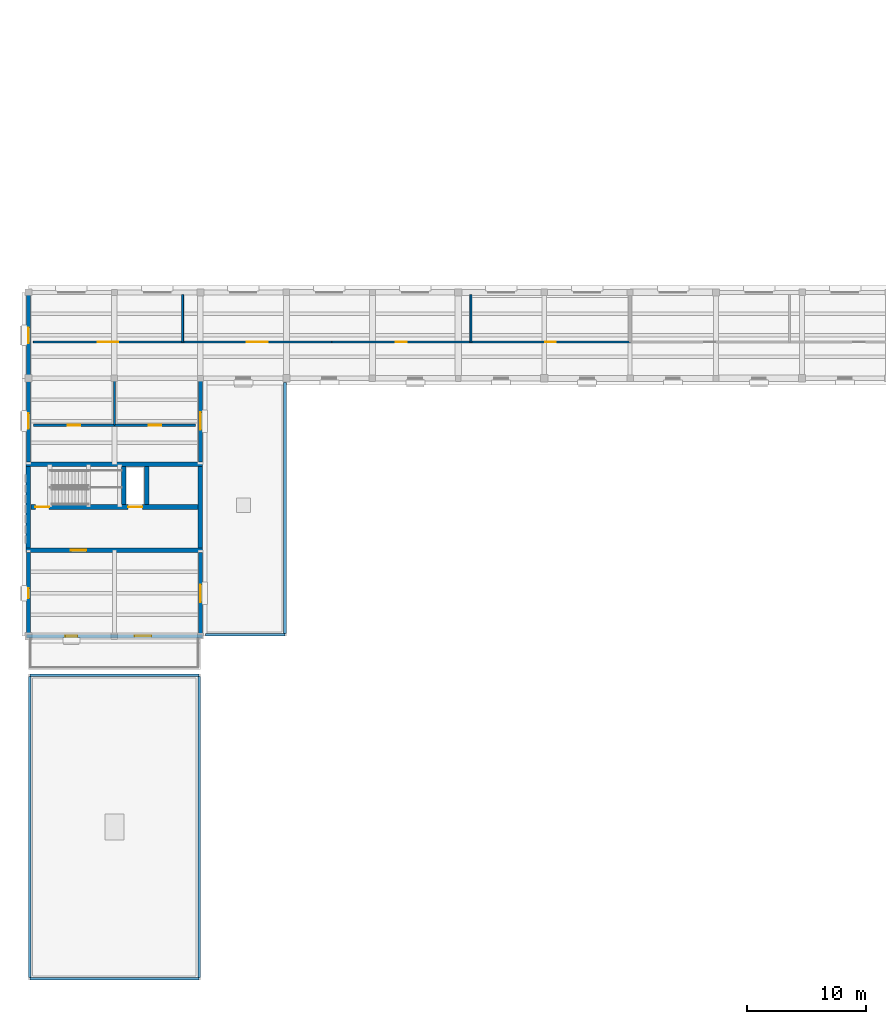
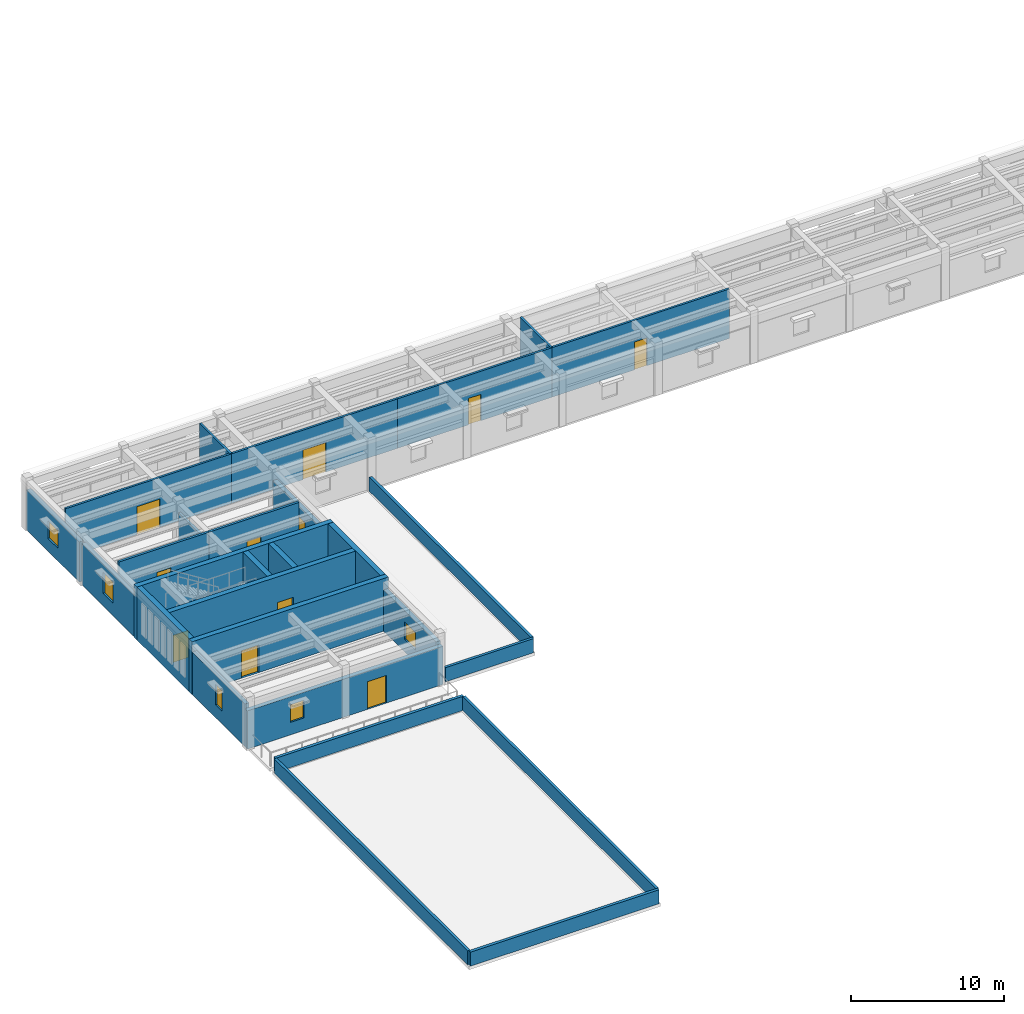
# One storey, part 11 of 27: 28 walls, 10 doors, 6 windows, 16 openings.
"""IFC4 building model written with IfcOpenShell, lengths in metres."""

from ifc_helpers import new_model, si_unit, direction, frame, frame_2d, origin, place, context, subcontext, project, spatial, rectangle, extrude, material, layer, layer_set, type_object, element, fill, save


model = new_model("IFC4")

# Units and contexts
model_context = context("Model", 3, precision=1e-05, world=origin(), true_north=direction((0.0, 1.0)))
body_context = subcontext(model_context, "Body", "Model", "MODEL_VIEW")
ifc_project = project(units=[si_unit("LENGTHUNIT", "METRE"), si_unit("AREAUNIT", "SQUARE_METRE"), si_unit("VOLUMEUNIT", "CUBIC_METRE"), si_unit("PLANEANGLEUNIT", "RADIAN"), si_unit("MASSUNIT", "GRAM", prefix="KILO")], contexts=[model_context])

# Site, building, storey
site_placement = place(None, origin())
site = spatial("IfcSite", under=ifc_project, at=site_placement, CompositionType="ELEMENT")
building_placement = place(site_placement, origin())
building = spatial("IfcBuilding", under=site, at=building_placement, Name="Mithqara Police Headquarters", CompositionType="ELEMENT")
storey_placement = place(building_placement, frame((0.0, 0.0, 18.0)))
storey = spatial("IfcBuildingStorey", under=building, at=storey_placement, Name="L04", CompositionType="ELEMENT", Elevation=18.0)

# Wall, opening, window
ifc_material_1 = material(Name="Limestone ashlar masonry, 45 MPa", Category="masonry")
ifc_layer_1 = layer(ifc_material_1, 0.320068359375, Name="Limestone ashlar masonry, 45 MPa")
ifc_layer_set_1 = layer_set([ifc_layer_1], Name="Limestone ashlar masonry, 45 MPa")
wall_type_1 = type_object("IfcWallType", Name="EXT WALL LIMESTONE320", PredefinedType="SOLIDWALL", material=ifc_layer_set_1)
wall_1_placement = place(storey_placement, frame((7.800048828125, 85.639892578125, 0.0), z_axis=(0.0, 0.0, 1.0), x_axis=(0.0, -1.0, 0.0)))
wall_1 = element("IfcWall", 1, at=wall_1_placement, inside=storey, type_object=wall_type_1, Name="L04 Exterior Wall 9.1", PredefinedType="SOLIDWALL", context=body_context, shape_type="SweptSolid", body=[
    extrude(rectangle(XDim=6.8798828125, YDim=0.320068359375, at=frame_2d((3.43994140625, 0.0))), origin(), (0.0, 0.0, 1.0), 3.18994140625),
])
opening_1_placement = place(wall_1_placement, frame((2.7900390625, 0.0, 1.0)))
opening_1 = element("IfcOpeningElement", 2, at=opening_1_placement, cuts=wall_1, Name="Opening W-16", PredefinedType="OPENING", context=body_context, shape_type="SweptSolid", body=[
    extrude(rectangle(XDim=1.300048828125, YDim=1.39990234375, at=frame_2d((0.64990234375, 0.699951171875))), frame((0.0, 0.169921875, 0.0), z_axis=(0.0, -1.0, 0.0), x_axis=(1.0, 0.0, 0.0)), (0.0, 0.0, 1.0), 0.340087890625),
])
ifc_material_2 = material(Name="Spectrally selective double low-e glass", Category="glass")
window_type_1 = type_object("IfcWindowType", Name="WINDOW 1300X1400", PartitioningType="SINGLE_PANEL", PredefinedType="WINDOW", material=ifc_material_2)
window_1_placement = place(opening_1_placement, origin())
window_1 = element("IfcWindow", 3, at=window_1_placement, inside=storey, type_object=window_type_1, Name="L04 Deep-Set Punched Window 9.1", OverallHeight=1.39990234375, OverallWidth=1.300048828125, PartitioningType="SINGLE_PANEL", PredefinedType="WINDOW", context=body_context, shape_type="SweptSolid", body=[
    extrude(rectangle(XDim=1.300048828125, YDim=1.39990234375, at=frame_2d((0.64990234375, 0.699951171875))), frame((0.0, 0.030029296875, 0.0), z_axis=(0.0, -1.0, 0.0), x_axis=(1.0, 0.0, 0.0)), (0.0, 0.0, 1.0), 0.06005859375),
])
fill(opening_1, window_1)

wall_2_placement = place(storey_placement, frame((7.800048828125, 78.43994140625, 0.0), z_axis=(0.0, 0.0, 1.0), x_axis=(0.0, -1.0, 0.0)))
wall_2 = element("IfcWall", 4, at=wall_2_placement, inside=storey, type_object=wall_type_1, Name="L04 Exterior Wall 10.1", PredefinedType="SOLIDWALL", context=body_context, shape_type="SweptSolid", body=[
    extrude(rectangle(XDim=6.849853515625, YDim=0.320068359375, at=frame_2d((3.4248046875, 0.0))), origin(), (0.0, 0.0, 1.0), 3.2900390625),
])
opening_2_placement = place(wall_2_placement, frame((2.77490234375, 0.0, 1.0)))
opening_2 = element("IfcOpeningElement", 5, at=opening_2_placement, cuts=wall_2, Name="Opening W-17", PredefinedType="OPENING", context=body_context, shape_type="SweptSolid", body=[
    extrude(rectangle(XDim=1.300048828125, YDim=1.64990234375, at=frame_2d((0.64990234375, 0.824951171875))), frame((0.0, 0.169921875, 0.0), z_axis=(0.0, -1.0, 0.0), x_axis=(1.0, 0.0, 0.0)), (0.0, 0.0, 1.0), 0.340087890625),
])
window_type_2 = type_object("IfcWindowType", Name="WINDOW 1300X1650", PartitioningType="SINGLE_PANEL", PredefinedType="WINDOW", material=ifc_material_2)
window_2_placement = place(opening_2_placement, origin())
window_2 = element("IfcWindow", 6, at=window_2_placement, inside=storey, type_object=window_type_2, Name="L04 Deep-Set Punched Window 10.1", OverallHeight=1.64990234375, OverallWidth=1.300048828125, PartitioningType="SINGLE_PANEL", PredefinedType="WINDOW", context=body_context, shape_type="SweptSolid", body=[
    extrude(rectangle(XDim=1.300048828125, YDim=1.64990234375, at=frame_2d((0.64990234375, 0.824951171875))), frame((0.0, 0.030029296875, 0.0), z_axis=(0.0, -1.0, 0.0), x_axis=(1.0, 0.0, 0.0)), (0.0, 0.0, 1.0), 0.06005859375),
])
fill(opening_2, window_2)

wall_3_placement = place(storey_placement, frame((7.800048828125, 64.010009765625, 0.0), z_axis=(0.0, 0.0, 1.0), x_axis=(0.0, -1.0, 0.0)))
wall_3 = element("IfcWall", 7, at=wall_3_placement, inside=storey, type_object=wall_type_1, Name="L04 Exterior Wall 10.2", PredefinedType="SOLIDWALL", context=body_context, shape_type="SweptSolid", body=[
    extrude(rectangle(XDim=6.85009765625, YDim=0.320068359375, at=frame_2d((3.425048828125, 0.0))), origin(), (0.0, 0.0, 1.0), 3.389892578125),
])
opening_3_placement = place(wall_3_placement, frame((3.0, 0.0, 1.0)))
opening_3 = element("IfcOpeningElement", 8, at=opening_3_placement, cuts=wall_3, Name="Opening W-02", PredefinedType="OPENING", context=body_context, shape_type="SweptSolid", body=[
    extrude(rectangle(XDim=0.85009765625, YDim=1.64990234375, at=frame_2d((0.425048828125, 0.824951171875))), frame((0.0, 0.169921875, 0.0), z_axis=(0.0, -1.0, 0.0), x_axis=(1.0, 0.0, 0.0)), (0.0, 0.0, 1.0), 0.340087890625),
])
window_type_3 = type_object("IfcWindowType", Name="WINDOW 850X1650", PartitioningType="SINGLE_PANEL", PredefinedType="WINDOW", material=ifc_material_2)
window_3_placement = place(opening_3_placement, origin())
window_3 = element("IfcWindow", 9, at=window_3_placement, inside=storey, type_object=window_type_3, Name="L04 Deep-Set Punched Window 10.1", OverallHeight=1.64990234375, OverallWidth=0.85009765625, PartitioningType="SINGLE_PANEL", PredefinedType="WINDOW", context=body_context, shape_type="SweptSolid", body=[
    extrude(rectangle(XDim=0.85009765625, YDim=1.64990234375, at=frame_2d((0.425048828125, 0.824951171875))), frame((0.0, 0.030029296875, 0.0), z_axis=(0.0, -1.0, 0.0), x_axis=(1.0, 0.0, 0.0)), (0.0, 0.0, 1.0), 0.06005859375),
])
fill(opening_3, window_3)

# Wall, openings, door, window
wall_4_placement = place(storey_placement, frame((7.639892578125, 57.0, 0.0), z_axis=(0.0, 0.0, 1.0), x_axis=(1.0, 0.0, 0.0)))
wall_4 = element("IfcWall", 10, at=wall_4_placement, inside=storey, type_object=wall_type_1, Name="L04 Exterior Wall 11.1", PredefinedType="SOLIDWALL", context=body_context, shape_type="SweptSolid", body=[
    extrude(rectangle(XDim=14.72021484375, YDim=0.320068359375, at=frame_2d((7.360107421875, 0.0))), origin(), (0.0, 0.0, 1.0), 3.0400390625),
])
opening_4_placement = place(wall_4_placement, frame((9.06005859375, 0.0, 0.0)))
opening_4 = element("IfcOpeningElement", 11, at=opening_4_placement, cuts=wall_4, Name="Opening TD-02", PredefinedType="OPENING", context=body_context, shape_type="SweptSolid", body=[
    extrude(rectangle(XDim=1.39990234375, YDim=2.199951171875, at=frame_2d((0.699951171875, 1.10009765625))), frame((0.0, 0.169921875, 0.0), z_axis=(0.0, -1.0, 0.0), x_axis=(1.0, 0.0, 0.0)), (0.0, 0.0, 1.0), 0.340087890625),
])
opening_5_placement = place(wall_4_placement, frame((3.260009765625, 0.0, 1.0)))
opening_5 = element("IfcOpeningElement", 12, at=opening_5_placement, cuts=wall_4, Name="Opening W-06", PredefinedType="OPENING", context=body_context, shape_type="SweptSolid", body=[
    extrude(rectangle(XDim=1.0, YDim=1.39990234375, at=frame_2d((0.5, 0.699951171875))), frame((0.0, 0.169921875, 0.0), z_axis=(0.0, -1.0, 0.0), x_axis=(1.0, 0.0, 0.0)), (0.0, 0.0, 1.0), 0.340087890625),
])
ifc_material_3 = material(Name="Bronze anodised aluminium 6063-T6", Category="aluminium")
door_type_1 = type_object("IfcDoorType", Name="EXT DOOR TERRACE 1400X2200", OperationType="DOUBLE_DOOR_SINGLE_SWING", PredefinedType="DOOR", material=ifc_material_3)
door_1_placement = place(opening_4_placement, frame((1.39990234375, 0.0, 0.0), z_axis=(0.0, 0.0, 1.0), x_axis=(-1.0, 0.0, 0.0)))
door_1 = element("IfcDoor", 13, at=door_1_placement, inside=storey, type_object=door_type_1, Name="L04 Terrace Access Door TER-L04-S", OperationType="DOUBLE_DOOR_SINGLE_SWING", OverallHeight=2.199951171875, OverallWidth=1.39990234375, PredefinedType="DOOR", context=body_context, shape_type="SweptSolid", body=[
    extrude(rectangle(XDim=1.39990234375, YDim=2.199951171875, at=frame_2d((0.699951171875, 1.10009765625))), frame((0.0, 0.02490234375, 0.0), z_axis=(0.0, -1.0, 0.0), x_axis=(1.0, 0.0, 0.0)), (0.0, 0.0, 1.0), 0.050048828125),
])
fill(opening_4, door_1)
window_type_4 = type_object("IfcWindowType", Name="WINDOW 1000X1400", PartitioningType="SINGLE_PANEL", PredefinedType="WINDOW", material=ifc_material_2)
window_4_placement = place(opening_5_placement, origin())
window_4 = element("IfcWindow", 14, at=window_4_placement, inside=storey, type_object=window_type_4, Name="L04 Deep-Set Punched Window 11.1", OverallHeight=1.39990234375, OverallWidth=1.0, PartitioningType="SINGLE_PANEL", PredefinedType="WINDOW", context=body_context, shape_type="SweptSolid", body=[
    extrude(rectangle(XDim=1.0, YDim=1.39990234375, at=frame_2d((0.5, 0.699951171875))), frame((0.0, 0.030029296875, 0.0), z_axis=(0.0, -1.0, 0.0), x_axis=(1.0, 0.0, 0.0)), (0.0, 0.0, 1.0), 0.06005859375),
])
fill(opening_5, window_4)

# Wall, opening, window
wall_5_placement = place(storey_placement, frame((22.199951171875, 57.159912109375, 0.0), z_axis=(0.0, 0.0, 1.0), x_axis=(0.0, 1.0, 0.0)))
wall_5 = element("IfcWall", 15, at=wall_5_placement, inside=storey, type_object=wall_type_1, Name="L04 Exterior Wall 12.1", PredefinedType="SOLIDWALL", context=body_context, shape_type="SweptSolid", body=[
    extrude(rectangle(XDim=6.85009765625, YDim=0.320068359375, at=frame_2d((3.425048828125, 0.0))), origin(), (0.0, 0.0, 1.0), 3.2900390625),
])
opening_6_placement = place(wall_5_placement, frame((2.699951171875, 0.0, 1.0)))
opening_6 = element("IfcOpeningElement", 16, at=opening_6_placement, cuts=wall_5, Name="Opening W-21", PredefinedType="OPENING", context=body_context, shape_type="SweptSolid", body=[
    extrude(rectangle(XDim=1.449951171875, YDim=1.39990234375, at=frame_2d((0.72509765625, 0.699951171875))), frame((0.0, 0.169921875, 0.0), z_axis=(0.0, -1.0, 0.0), x_axis=(1.0, 0.0, 0.0)), (0.0, 0.0, 1.0), 0.340087890625),
])
window_type_5 = type_object("IfcWindowType", Name="WINDOW 1450X1400", PartitioningType="SINGLE_PANEL", PredefinedType="WINDOW", material=ifc_material_2)
window_5_placement = place(opening_6_placement, origin())
window_5 = element("IfcWindow", 17, at=window_5_placement, inside=storey, type_object=window_type_5, Name="L04 Deep-Set Punched Window 12.1", OverallHeight=1.39990234375, OverallWidth=1.449951171875, PartitioningType="SINGLE_PANEL", PredefinedType="WINDOW", context=body_context, shape_type="SweptSolid", body=[
    extrude(rectangle(XDim=1.449951171875, YDim=1.39990234375, at=frame_2d((0.72509765625, 0.699951171875))), frame((0.0, 0.030029296875, 0.0), z_axis=(0.0, -1.0, 0.0), x_axis=(1.0, 0.0, 0.0)), (0.0, 0.0, 1.0), 0.06005859375),
])
fill(opening_6, window_5)

wall_6_placement = place(storey_placement, frame((22.199951171875, 71.590087890625, 0.0), z_axis=(0.0, 0.0, 1.0), x_axis=(0.0, 1.0, 0.0)))
wall_6 = element("IfcWall", 18, at=wall_6_placement, inside=storey, type_object=wall_type_1, Name="L04 Exterior Wall 12.2", PredefinedType="SOLIDWALL", context=body_context, shape_type="SweptSolid", body=[
    extrude(rectangle(XDim=6.849853515625, YDim=0.320068359375, at=frame_2d((3.4248046875, 0.0))), origin(), (0.0, 0.0, 1.0), 3.239990234375),
])
opening_7_placement = place(wall_6_placement, frame((2.699951171875, 0.0, 1.0)))
opening_7 = element("IfcOpeningElement", 19, at=opening_7_placement, cuts=wall_6, Name="Opening W-21", PredefinedType="OPENING", context=body_context, shape_type="SweptSolid", body=[
    extrude(rectangle(XDim=1.449951171875, YDim=1.39990234375, at=frame_2d((0.72509765625, 0.699951171875))), frame((0.0, 0.169921875, 0.0), z_axis=(0.0, -1.0, 0.0), x_axis=(1.0, 0.0, 0.0)), (0.0, 0.0, 1.0), 0.340087890625),
])
window_6_placement = place(opening_7_placement, origin())
window_6 = element("IfcWindow", 20, at=window_6_placement, inside=storey, type_object=window_type_5, Name="L04 Deep-Set Punched Window 12.1", OverallHeight=1.39990234375, OverallWidth=1.449951171875, PartitioningType="SINGLE_PANEL", PredefinedType="WINDOW", context=body_context, shape_type="SweptSolid", body=[
    extrude(rectangle(XDim=1.449951171875, YDim=1.39990234375, at=frame_2d((0.72509765625, 0.699951171875))), frame((0.0, 0.030029296875, 0.0), z_axis=(0.0, -1.0, 0.0), x_axis=(1.0, 0.0, 0.0)), (0.0, 0.0, 1.0), 0.06005859375),
])
fill(opening_7, window_6)

# Walls
ifc_layer_2 = layer(ifc_material_1, 0.199951171875, Name="Limestone ashlar masonry, 45 MPa")
ifc_layer_set_2 = layer_set([ifc_layer_2], Name="Limestone ashlar masonry, 45 MPa")
wall_type_2 = type_object("IfcWallType", Name="PARAPET WALL 200", PredefinedType="PARAPET", material=ifc_layer_set_2)
for number, where, z_axis, x_axis, name in (
    (21, (22.090087890625, 53.6298828125, 0.0), (0.0, 0.0, 1.0), (0.0, -1.0, 0.0), "L04 Limestone Roof Parapet ROOF-L03-00-2"),
    (22, (7.909912109375, 28.419921875, 0.0), (0.0, 0.0, 1.0), (0.0, 1.0, 0.0), "L04 Limestone Roof Parapet ROOF-L03-00-4"),
):
    element("IfcWall", number, at=place(storey_placement, frame(where, z_axis=z_axis, x_axis=x_axis)), inside=storey, type_object=wall_type_2, Name=name, PredefinedType="PARAPET", context=body_context, shape_type="SweptSolid", body=[
        extrude(rectangle(XDim=25.2099609375, YDim=0.199951171875, at=frame_2d((12.60498046875, 0.0))), origin(), (0.0, 0.0, 1.0), 1.1201171875),
    ])
wall_7_placement = place(storey_placement, frame((29.2900390625, 57.110107421875, 0.0), z_axis=(0.0, 0.0, 1.0), x_axis=(-1.0, 0.0, 0.0)))
element("IfcWall", 23, at=wall_7_placement, inside=storey, type_object=wall_type_2, Name="L04 Limestone Roof Parapet ROOF-L03-02-4", PredefinedType="PARAPET", context=body_context, shape_type="SweptSolid", body=[
    extrude(rectangle(XDim=6.643798828125, YDim=0.199951171875, at=frame_2d((3.32177734375, 0.0))), origin(), (0.0, 0.0, 1.0), 1.1201171875),
])
ifc_layer_3 = layer(ifc_material_1, 0.219970703125, Name="Limestone ashlar masonry, 45 MPa")
ifc_layer_set_3 = layer_set([ifc_layer_3], Name="Limestone ashlar masonry, 45 MPa")
wall_type_3 = type_object("IfcWallType", Name="PARAPET WALL 220", PredefinedType="PARAPET", material=ifc_layer_set_3)
for number, where, z_axis, x_axis, name in (
    (24, (7.909912109375, 53.739990234375, 0.0), (0.0, 0.0, 1.0), (1.0, 0.0, 0.0), "L04 Limestone Roof Parapet ROOF-L03-00-1"),
    (25, (22.090087890625, 28.31005859375, 0.0), (0.0, 0.0, 1.0), (-1.0, 0.0, 0.0), "L04 Limestone Roof Parapet ROOF-L03-00-3"),
):
    element("IfcWall", number, at=place(storey_placement, frame(where, z_axis=z_axis, x_axis=x_axis)), inside=storey, type_object=wall_type_3, Name=name, PredefinedType="PARAPET", context=body_context, shape_type="SweptSolid", body=[
        extrude(rectangle(XDim=14.18017578125, YDim=0.219970703125, at=frame_2d((7.090087890625, 0.0))), origin(), (0.0, 0.0, 1.0), 1.1201171875),
    ])
wall_8_placement = place(storey_placement, frame((29.2900390625, 78.260009765625, 0.0), z_axis=(0.0, 0.0, 1.0), x_axis=(0.0, -1.0, 0.0)))
element("IfcWall", 26, at=wall_8_placement, inside=storey, type_object=wall_type_3, Name="L04 Limestone Roof Parapet ROOF-L03-02-3", PredefinedType="PARAPET", context=body_context, shape_type="SweptSolid", body=[
    extrude(rectangle(XDim=21.030029296875, YDim=0.219970703125, at=frame_2d((10.51513671875, 0.0))), origin(), (0.0, 0.0, 1.0), 1.1201171875),
])

# Wall, opening, door
ifc_material_4 = material(Name="Gypsum acoustic stud partition", Category="gypsum")
ifc_layer_4 = layer(ifc_material_4, 0.159912109375, Name="Gypsum acoustic stud partition")
ifc_layer_set_4 = layer_set([ifc_layer_4], Name="Gypsum acoustic stud partition")
wall_type_4 = type_object("IfcWallType", Name="PART WALL 160", PredefinedType="PARTITIONING", material=ifc_layer_set_4)
wall_9_placement = place(storey_placement, frame((8.219970703125, 81.639892578125, 0.0), z_axis=(0.0, 0.0, 1.0), x_axis=(1.0, 0.0, 0.0)))
wall_9 = element("IfcWall", 27, at=wall_9_placement, inside=storey, type_object=wall_type_4, Name="L04 Corridor Wall Evidence Review Room", PredefinedType="PARTITIONING", context=body_context, shape_type="SweptSolid", body=[
    extrude(rectangle(XDim=12.4951171875, YDim=0.159912109375, at=frame_2d((6.24755859375, 0.0))), origin(), (0.0, 0.0, 1.0), 3.93994140625),
])
opening_8_placement = place(wall_9_placement, frame((5.387451171875, 0.0, 0.0)))
opening_8 = element("IfcOpeningElement", 28, at=opening_8_placement, cuts=wall_9, Name="Opening D-23", PredefinedType="OPENING", context=body_context, shape_type="SweptSolid", body=[
    extrude(rectangle(XDim=1.719970703125, YDim=2.219970703125, at=frame_2d((0.85986328125, 1.10986328125))), frame((0.0, 0.08984375, 0.0), z_axis=(0.0, -1.0, 0.0), x_axis=(1.0, 0.0, 0.0)), (0.0, 0.0, 1.0), 0.179931640625),
])
door_type_2 = type_object("IfcDoorType", Name="INT DOOR 1720X2220", OperationType="NOTDEFINED", PredefinedType="DOOR", material=ifc_material_3)
door_2_placement = place(opening_8_placement, origin())
door_2 = element("IfcDoor", 29, at=door_2_placement, inside=storey, type_object=door_type_2, Name="Evidence Review Room Entry Door", OperationType="DOUBLE_DOOR_SINGLE_SWING", OverallHeight=2.219970703125, OverallWidth=1.719970703125, PredefinedType="DOOR", context=body_context, shape_type="SweptSolid", body=[
    extrude(rectangle(XDim=1.719970703125, YDim=2.219970703125, at=frame_2d((0.85986328125, 1.10986328125))), frame((0.0, 0.02490234375, 0.0), z_axis=(0.0, -1.0, 0.0), x_axis=(1.0, 0.0, 0.0)), (0.0, 0.0, 1.0), 0.050048828125),
])
fill(opening_8, door_2)

# Wall
wall_10_placement = place(storey_placement, frame((20.715087890625, 81.639892578125, 0.0), z_axis=(0.0, 0.0, 1.0), x_axis=(0.0, 1.0, 0.0)))
element("IfcWall", 30, at=wall_10_placement, inside=storey, type_object=wall_type_4, Name="L04 Room Partition Evidence Review Room", PredefinedType="PARTITIONING", context=body_context, shape_type="SweptSolid", body=[
    extrude(rectangle(XDim=3.980224609375, YDim=0.159912109375, at=frame_2d((1.990234375, 0.0))), origin(), (0.0, 0.0, 1.0), 3.93994140625),
])

# Wall, opening, door
wall_11_placement = place(storey_placement, frame((20.715087890625, 81.639892578125, 0.0), z_axis=(0.0, 0.0, 1.0), x_axis=(1.0, 0.0, 0.0)))
wall_11 = element("IfcWall", 31, at=wall_11_placement, inside=storey, type_object=wall_type_4, Name="L04 Corridor Wall Witness Interview Suite", PredefinedType="PARTITIONING", context=body_context, shape_type="SweptSolid", body=[
    extrude(rectangle(XDim=12.494873046875, YDim=0.159912109375, at=frame_2d((6.24755859375, 0.0))), origin(), (0.0, 0.0, 1.0), 3.93994140625),
])
opening_9_placement = place(wall_11_placement, frame((5.387451171875, 0.0, 0.0)))
opening_9 = element("IfcOpeningElement", 32, at=opening_9_placement, cuts=wall_11, Name="Opening D-24", PredefinedType="OPENING", context=body_context, shape_type="SweptSolid", body=[
    extrude(rectangle(XDim=1.719970703125, YDim=2.35009765625, at=frame_2d((0.85986328125, 1.175048828125))), frame((0.0, 0.08984375, 0.0), z_axis=(0.0, -1.0, 0.0), x_axis=(1.0, 0.0, 0.0)), (0.0, 0.0, 1.0), 0.179931640625),
])
door_type_3 = type_object("IfcDoorType", Name="INT DOOR 1720X2350", OperationType="NOTDEFINED", PredefinedType="DOOR", material=ifc_material_3)
door_3_placement = place(opening_9_placement, origin())
door_3 = element("IfcDoor", 33, at=door_3_placement, inside=storey, type_object=door_type_3, Name="Witness Interview Suite Entry Door", OperationType="DOUBLE_DOOR_SINGLE_SWING", OverallHeight=2.35009765625, OverallWidth=1.719970703125, PredefinedType="DOOR", context=body_context, shape_type="SweptSolid", body=[
    extrude(rectangle(XDim=1.719970703125, YDim=2.35009765625, at=frame_2d((0.85986328125, 1.175048828125))), frame((0.0, 0.02490234375, 0.0), z_axis=(0.0, -1.0, 0.0), x_axis=(1.0, 0.0, 0.0)), (0.0, 0.0, 1.0), 0.050048828125),
])
fill(opening_9, door_3)

wall_12_placement = place(storey_placement, frame((33.2099609375, 81.639892578125, 0.0), z_axis=(0.0, 0.0, 1.0), x_axis=(1.0, 0.0, 0.0)))
wall_12 = element("IfcWall", 34, at=wall_12_placement, inside=storey, type_object=wall_type_4, Name="L04 Corridor Wall Investigative Casework Library", PredefinedType="PARTITIONING", context=body_context, shape_type="SweptSolid", body=[
    extrude(rectangle(XDim=11.64501953125, YDim=0.159912109375, at=frame_2d((5.822509765625, 0.0))), origin(), (0.0, 0.0, 1.0), 3.93994140625),
])
opening_10_placement = place(wall_12_placement, frame((5.362548828125, 0.0, 0.0)))
opening_10 = element("IfcOpeningElement", 35, at=opening_10_placement, cuts=wall_12, Name="Opening D-01", PredefinedType="OPENING", context=body_context, shape_type="SweptSolid", body=[
    extrude(rectangle(XDim=0.919921875, YDim=2.10009765625, at=frame_2d((0.4599609375, 1.050048828125))), frame((0.0, 0.08984375, 0.0), z_axis=(0.0, -1.0, 0.0), x_axis=(1.0, 0.0, 0.0)), (0.0, 0.0, 1.0), 0.179931640625),
])
ifc_material_5 = material(Name="Acoustic solid-core timber leaf", Category="wood")
door_type_4 = type_object("IfcDoorType", Name="INT DOOR 920X2100", OperationType="NOTDEFINED", PredefinedType="DOOR", material=ifc_material_5)
door_4_placement = place(opening_10_placement, origin())
door_4 = element("IfcDoor", 36, at=door_4_placement, inside=storey, type_object=door_type_4, Name="Investigative Casework Library Entry Door", OperationType="SINGLE_SWING_RIGHT", OverallHeight=2.10009765625, OverallWidth=0.919921875, PredefinedType="DOOR", context=body_context, shape_type="SweptSolid", body=[
    extrude(rectangle(XDim=0.919921875, YDim=2.10009765625, at=frame_2d((0.4599609375, 1.050048828125))), frame((0.0, 0.02490234375, 0.0), z_axis=(0.0, -1.0, 0.0), x_axis=(1.0, 0.0, 0.0)), (0.0, 0.0, 1.0), 0.050048828125),
])
fill(opening_10, door_4)

# Wall
wall_13_placement = place(storey_placement, frame((44.85498046875, 81.639892578125, 0.0), z_axis=(0.0, 0.0, 1.0), x_axis=(0.0, 1.0, 0.0)))
element("IfcWall", 37, at=wall_13_placement, inside=storey, type_object=wall_type_4, Name="L04 Room Partition Investigative Casework Library", PredefinedType="PARTITIONING", context=body_context, shape_type="SweptSolid", body=[
    extrude(rectangle(XDim=3.980224609375, YDim=0.159912109375, at=frame_2d((1.990234375, 0.0))), origin(), (0.0, 0.0, 1.0), 3.93994140625),
])

# Wall, opening, door
wall_14_placement = place(storey_placement, frame((44.85498046875, 81.639892578125, 0.0), z_axis=(0.0, 0.0, 1.0), x_axis=(1.0, 0.0, 0.0)))
wall_14 = element("IfcWall", 38, at=wall_14_placement, inside=storey, type_object=wall_type_4, Name="L04 Corridor Wall Evidence Review Room", PredefinedType="PARTITIONING", context=body_context, shape_type="SweptSolid", body=[
    extrude(rectangle(XDim=13.344970703125, YDim=0.159912109375, at=frame_2d((6.67236328125, 0.0))), origin(), (0.0, 0.0, 1.0), 3.93994140625),
])
opening_11_placement = place(wall_14_placement, frame((6.21240234375, 0.0, 0.0)))
opening_11 = element("IfcOpeningElement", 39, at=opening_11_placement, cuts=wall_14, Name="Opening D-02", PredefinedType="OPENING", context=body_context, shape_type="SweptSolid", body=[
    extrude(rectangle(XDim=0.919921875, YDim=2.219970703125, at=frame_2d((0.4599609375, 1.10986328125))), frame((0.0, 0.08984375, 0.0), z_axis=(0.0, -1.0, 0.0), x_axis=(1.0, 0.0, 0.0)), (0.0, 0.0, 1.0), 0.179931640625),
])
door_type_5 = type_object("IfcDoorType", Name="INT DOOR 920X2220", OperationType="NOTDEFINED", PredefinedType="DOOR", material=ifc_material_5)
door_5_placement = place(opening_11_placement, origin())
door_5 = element("IfcDoor", 40, at=door_5_placement, inside=storey, type_object=door_type_5, Name="Evidence Review Room Entry Door", OperationType="SINGLE_SWING_LEFT", OverallHeight=2.219970703125, OverallWidth=0.919921875, PredefinedType="DOOR", context=body_context, shape_type="SweptSolid", body=[
    extrude(rectangle(XDim=0.919921875, YDim=2.219970703125, at=frame_2d((0.4599609375, 1.10986328125))), frame((0.0, 0.02490234375, 0.0), z_axis=(0.0, -1.0, 0.0), x_axis=(1.0, 0.0, 0.0)), (0.0, 0.0, 1.0), 0.050048828125),
])
fill(opening_11, door_5)

ifc_material_6 = material(Name="Concrete C40/50", Category="concrete")
ifc_layer_5 = layer(ifc_material_6, 0.179931640625, Name="Concrete C40/50")
ifc_layer_set_5 = layer_set([ifc_layer_5], Name="Concrete C40/50")
wall_type_5 = type_object("IfcWallType", Name="PART WALL 180", PredefinedType="PARTITIONING", material=ifc_layer_set_5)
wall_15_placement = place(storey_placement, frame((8.219970703125, 74.669921875, 0.0), z_axis=(0.0, 0.0, 1.0), x_axis=(1.0, 0.0, 0.0)))
wall_15 = element("IfcWall", 41, at=wall_15_placement, inside=storey, type_object=wall_type_5, Name="L04 Corridor Wall Major Crimes Investigation Office", PredefinedType="PARTITIONING", context=body_context, shape_type="SweptSolid", body=[
    extrude(rectangle(XDim=6.780029296875, YDim=0.179931640625, at=frame_2d((3.39013671875, 0.0))), origin(), (0.0, 0.0, 1.0), 3.93994140625),
])
opening_12_placement = place(wall_15_placement, frame((2.8701171875, 0.0, 0.0)))
opening_12 = element("IfcOpeningElement", 42, at=opening_12_placement, cuts=wall_15, Name="Opening D-07", PredefinedType="OPENING", context=body_context, shape_type="SweptSolid", body=[
    extrude(rectangle(XDim=1.0400390625, YDim=2.10009765625, at=frame_2d((0.52001953125, 1.050048828125))), frame((0.0, 0.10009765625, 0.0), z_axis=(0.0, -1.0, 0.0), x_axis=(1.0, 0.0, 0.0)), (0.0, 0.0, 1.0), 0.199951171875),
])
door_type_6 = type_object("IfcDoorType", Name="INT DOOR 1040X2100", OperationType="NOTDEFINED", PredefinedType="DOOR", material=ifc_material_5)
door_6_placement = place(opening_12_placement, origin())
door_6 = element("IfcDoor", 43, at=door_6_placement, inside=storey, type_object=door_type_6, Name="Major Crimes Investigation Office Entry Door", OperationType="SINGLE_SWING_RIGHT", OverallHeight=2.10009765625, OverallWidth=1.0400390625, PredefinedType="DOOR", context=body_context, shape_type="SweptSolid", body=[
    extrude(rectangle(XDim=1.0400390625, YDim=2.10009765625, at=frame_2d((0.52001953125, 1.050048828125))), frame((0.0, 0.02490234375, 0.0), z_axis=(0.0, -1.0, 0.0), x_axis=(1.0, 0.0, 0.0)), (0.0, 0.0, 1.0), 0.050048828125),
])
fill(opening_12, door_6)

# Wall
wall_16_placement = place(storey_placement, frame((15.0, 74.669921875, 0.0), z_axis=(0.0, 0.0, 1.0), x_axis=(0.0, 1.0, 0.0)))
element("IfcWall", 44, at=wall_16_placement, inside=storey, type_object=wall_type_5, Name="L04 Room Partition Major Crimes Investigation Office", PredefinedType="PARTITIONING", context=body_context, shape_type="SweptSolid", body=[
    extrude(rectangle(XDim=3.75, YDim=0.179931640625, at=frame_2d((1.875, 0.0))), origin(), (0.0, 0.0, 1.0), 3.18994140625),
])

# Wall, opening, door
wall_17_placement = place(storey_placement, frame((15.0, 74.669921875, 0.0), z_axis=(0.0, 0.0, 1.0), x_axis=(1.0, 0.0, 0.0)))
wall_17 = element("IfcWall", 45, at=wall_17_placement, inside=storey, type_object=wall_type_5, Name="L04 Corridor Wall Cold Case Taskforce Suite", PredefinedType="PARTITIONING", context=body_context, shape_type="SweptSolid", body=[
    extrude(rectangle(XDim=6.780029296875, YDim=0.179931640625, at=frame_2d((3.39013671875, 0.0))), origin(), (0.0, 0.0, 1.0), 3.93994140625),
])
opening_13_placement = place(wall_17_placement, frame((2.8701171875, 0.0, 0.0)))
opening_13 = element("IfcOpeningElement", 46, at=opening_13_placement, cuts=wall_17, Name="Opening D-08", PredefinedType="OPENING", context=body_context, shape_type="SweptSolid", body=[
    extrude(rectangle(XDim=1.0400390625, YDim=2.219970703125, at=frame_2d((0.52001953125, 1.10986328125))), frame((0.0, 0.10009765625, 0.0), z_axis=(0.0, -1.0, 0.0), x_axis=(1.0, 0.0, 0.0)), (0.0, 0.0, 1.0), 0.199951171875),
])
door_type_7 = type_object("IfcDoorType", Name="INT DOOR 1040X2220", OperationType="NOTDEFINED", PredefinedType="DOOR", material=ifc_material_5)
door_7_placement = place(opening_13_placement, origin())
door_7 = element("IfcDoor", 47, at=door_7_placement, inside=storey, type_object=door_type_7, Name="Cold Case Taskforce Suite Entry Door", OperationType="SINGLE_SWING_LEFT", OverallHeight=2.219970703125, OverallWidth=1.0400390625, PredefinedType="DOOR", context=body_context, shape_type="SweptSolid", body=[
    extrude(rectangle(XDim=1.0400390625, YDim=2.219970703125, at=frame_2d((0.52001953125, 1.10986328125))), frame((0.0, 0.02490234375, 0.0), z_axis=(0.0, -1.0, 0.0), x_axis=(1.0, 0.0, 0.0)), (0.0, 0.0, 1.0), 0.050048828125),
])
fill(opening_13, door_7)

# Wall
ifc_material_7 = material(Name="Concrete C50/60", Category="concrete")
ifc_layer_6 = layer(ifc_material_7, 0.3798828125, Name="Concrete C50/60")
ifc_layer_set_6 = layer_set([ifc_layer_6], Name="Concrete C50/60")
wall_type_6 = type_object("IfcWallType", Name="SHEAR WALL 380", PredefinedType="SHEAR", material=ifc_layer_set_6)
wall_18_placement = place(storey_placement, frame((7.610107421875, 71.39990234375, 0.0), z_axis=(0.0, 0.0, 1.0), x_axis=(1.0, 0.0, 0.0)))
element("IfcWall", 48, at=wall_18_placement, inside=storey, type_object=wall_type_6, Name="Core C3 Operations West Shear Wall N", PredefinedType="SHEAR", context=body_context, shape_type="SweptSolid", body=[
    extrude(rectangle(XDim=14.77978515625, YDim=0.3798828125, at=frame_2d((7.389892578125, 0.0))), origin(), (0.0, 0.0, 1.0), 4.199951171875),
])

# Wall, opening, door
wall_19_placement = place(storey_placement, frame((7.610107421875, 64.199951171875, 0.0), z_axis=(0.0, 0.0, 1.0), x_axis=(1.0, 0.0, 0.0)))
wall_19 = element("IfcWall", 49, at=wall_19_placement, inside=storey, type_object=wall_type_6, Name="Core C3 Operations West Shear Wall S", PredefinedType="SHEAR", context=body_context, shape_type="SweptSolid", body=[
    extrude(rectangle(XDim=14.77978515625, YDim=0.3798828125, at=frame_2d((7.389892578125, 0.0))), origin(), (0.0, 0.0, 1.0), 4.199951171875),
])
opening_14_placement = place(wall_19_placement, frame((3.739990234375, 0.0, 0.0)))
opening_14 = element("IfcOpeningElement", 50, at=opening_14_placement, cuts=wall_19, Name="Opening FD-02", PredefinedType="OPENING", context=body_context, shape_type="SweptSolid", body=[
    extrude(rectangle(XDim=1.300048828125, YDim=2.199951171875, at=frame_2d((0.64990234375, 1.10009765625))), frame((0.0, 0.199951171875, 0.0), z_axis=(0.0, -1.0, 0.0), x_axis=(1.0, 0.0, 0.0)), (0.0, 0.0, 1.0), 0.39990234375),
])
ifc_material_8 = material(Name="Steel S355JR", Category="steel")
door_type_8 = type_object("IfcDoorType", Name="CORE DOOR LOBBY 1300X2200", OperationType="NOTDEFINED", PredefinedType="DOOR", material=ifc_material_8)
door_8_placement = place(opening_14_placement, frame((1.300048828125, 0.0, 0.0), z_axis=(0.0, 0.0, 1.0), x_axis=(-1.0, 0.0, 0.0)))
door_8 = element("IfcDoor", 51, at=door_8_placement, inside=storey, type_object=door_type_8, Name="Core C3 Operations West Lobby Fire Door L04", OperationType="SINGLE_SWING_LEFT", OverallHeight=2.199951171875, OverallWidth=1.300048828125, PredefinedType="DOOR", context=body_context, shape_type="SweptSolid", body=[
    extrude(rectangle(XDim=1.300048828125, YDim=2.199951171875, at=frame_2d((0.64990234375, 1.10009765625))), frame((0.0, 0.02490234375, 0.0), z_axis=(0.0, -1.0, 0.0), x_axis=(1.0, 0.0, 0.0)), (0.0, 0.0, 1.0), 0.050048828125),
])
fill(opening_14, door_8)

# Walls
for number, where, z_axis, x_axis, name in (
    (52, (7.800048828125, 64.39990234375, 0.0), (0.0, 0.0, 1.0), (0.0, 1.0, 0.0), "Core C3 Operations West Shear Wall W"),
    (53, (22.199951171875, 64.39990234375, 0.0), (0.0, 0.0, 1.0), (0.0, 1.0, 0.0), "Core C3 Operations West Shear Wall E"),
):
    element("IfcWall", number, at=place(storey_placement, frame(where, z_axis=z_axis, x_axis=x_axis)), inside=storey, type_object=wall_type_6, Name=name, PredefinedType="SHEAR", context=body_context, shape_type="SweptSolid", body=[
        extrude(rectangle(XDim=6.800048828125, YDim=0.3798828125, at=frame_2d((3.39990234375, 0.0))), origin(), (0.0, 0.0, 1.0), 4.199951171875),
    ])

# Wall, openings, doors
wall_20_placement = place(storey_placement, frame((8.0, 67.820068359375, 0.0), z_axis=(0.0, 0.0, 1.0), x_axis=(1.0, 0.0, 0.0)))
wall_20 = element("IfcWall", 54, at=wall_20_placement, inside=storey, type_object=wall_type_6, Name="Core C3 Operations West Shear Wall M", PredefinedType="SHEAR", context=body_context, shape_type="SweptSolid", body=[
    extrude(rectangle(XDim=14.0, YDim=0.3798828125, at=frame_2d((7.0, 0.0))), origin(), (0.0, 0.0, 1.0), 4.199951171875),
])
opening_15_placement = place(wall_20_placement, frame((8.139892578125, 0.0, 0.0)))
opening_15 = element("IfcOpeningElement", 55, at=opening_15_placement, cuts=wall_20, Name="Opening LD-02", PredefinedType="OPENING", context=body_context, shape_type="SweptSolid", body=[
    extrude(rectangle(XDim=1.199951171875, YDim=2.14990234375, at=frame_2d((0.60009765625, 1.074951171875))), frame((0.0, 0.199951171875, 0.0), z_axis=(0.0, -1.0, 0.0), x_axis=(1.0, 0.0, 0.0)), (0.0, 0.0, 1.0), 0.39990234375),
])
opening_16_placement = place(wall_20_placement, frame((0.375, 0.0, 0.0)))
opening_16 = element("IfcOpeningElement", 56, at=opening_16_placement, cuts=wall_20, Name="Opening FD-01", PredefinedType="OPENING", context=body_context, shape_type="SweptSolid", body=[
    extrude(rectangle(XDim=1.14990234375, YDim=2.14990234375, at=frame_2d((0.574951171875, 1.074951171875))), frame((0.0, 0.199951171875, 0.0), z_axis=(0.0, -1.0, 0.0), x_axis=(1.0, 0.0, 0.0)), (0.0, 0.0, 1.0), 0.39990234375),
])
door_type_9 = type_object("IfcDoorType", Name="CORE DOOR STAIR 1150X2150", OperationType="NOTDEFINED", PredefinedType="DOOR", material=ifc_material_8)
door_9_placement = place(opening_16_placement, origin())
door_9 = element("IfcDoor", 57, at=door_9_placement, inside=storey, type_object=door_type_9, Name="Stair ST-03 Fire Door L04", OperationType="SINGLE_SWING_LEFT", OverallHeight=2.14990234375, OverallWidth=1.14990234375, PredefinedType="DOOR", context=body_context, shape_type="SweptSolid", body=[
    extrude(rectangle(XDim=1.14990234375, YDim=2.14990234375, at=frame_2d((0.574951171875, 1.074951171875))), frame((0.0, 0.02490234375, 0.0), z_axis=(0.0, -1.0, 0.0), x_axis=(1.0, 0.0, 0.0)), (0.0, 0.0, 1.0), 0.050048828125),
])
fill(opening_16, door_9)
door_type_10 = type_object("IfcDoorType", Name="LIFT DOOR 1200X2150", OperationType="DOUBLE_DOOR_SLIDING", PredefinedType="DOOR", material=ifc_material_8)
door_10_placement = place(opening_15_placement, frame((1.199951171875, 0.0, 0.0), z_axis=(0.0, 0.0, 1.0), x_axis=(-1.0, 0.0, 0.0)))
door_10 = element("IfcDoor", 58, at=door_10_placement, inside=storey, type_object=door_type_10, Name="Lift Landing Door LP-05-L04", OperationType="DOUBLE_DOOR_SLIDING", OverallHeight=2.14990234375, OverallWidth=1.199951171875, PredefinedType="DOOR", context=body_context, shape_type="SweptSolid", body=[
    extrude(rectangle(XDim=1.199951171875, YDim=2.14990234375, at=frame_2d((0.60009765625, 1.074951171875))), frame((0.0, 0.02490234375, 0.0), z_axis=(0.0, -1.0, 0.0), x_axis=(1.0, 0.0, 0.0)), (0.0, 0.0, 1.0), 0.050048828125),
])
fill(opening_15, door_10)

# Walls
for number, where, z_axis, x_axis, name in (
    (59, (15.780029296875, 68.02001953125, 0.0), (0.0, 0.0, 1.0), (0.0, 1.0, 0.0), "Core C3 Operations West Shear Wall X"),
    (60, (17.699951171875, 68.02001953125, 0.0), (0.0, 0.0, 1.0), (0.0, 1.0, 0.0), "Core C3 Operations West Shear Wall L1"),
):
    element("IfcWall", number, at=place(storey_placement, frame(where, z_axis=z_axis, x_axis=x_axis)), inside=storey, type_object=wall_type_6, Name=name, PredefinedType="SHEAR", context=body_context, shape_type="SweptSolid", body=[
        extrude(rectangle(XDim=3.179931640625, YDim=0.3798828125, at=frame_2d((1.58984375, 0.0))), origin(), (0.0, 0.0, 1.0), 4.199951171875),
    ])

save(model, "model.ifc")
